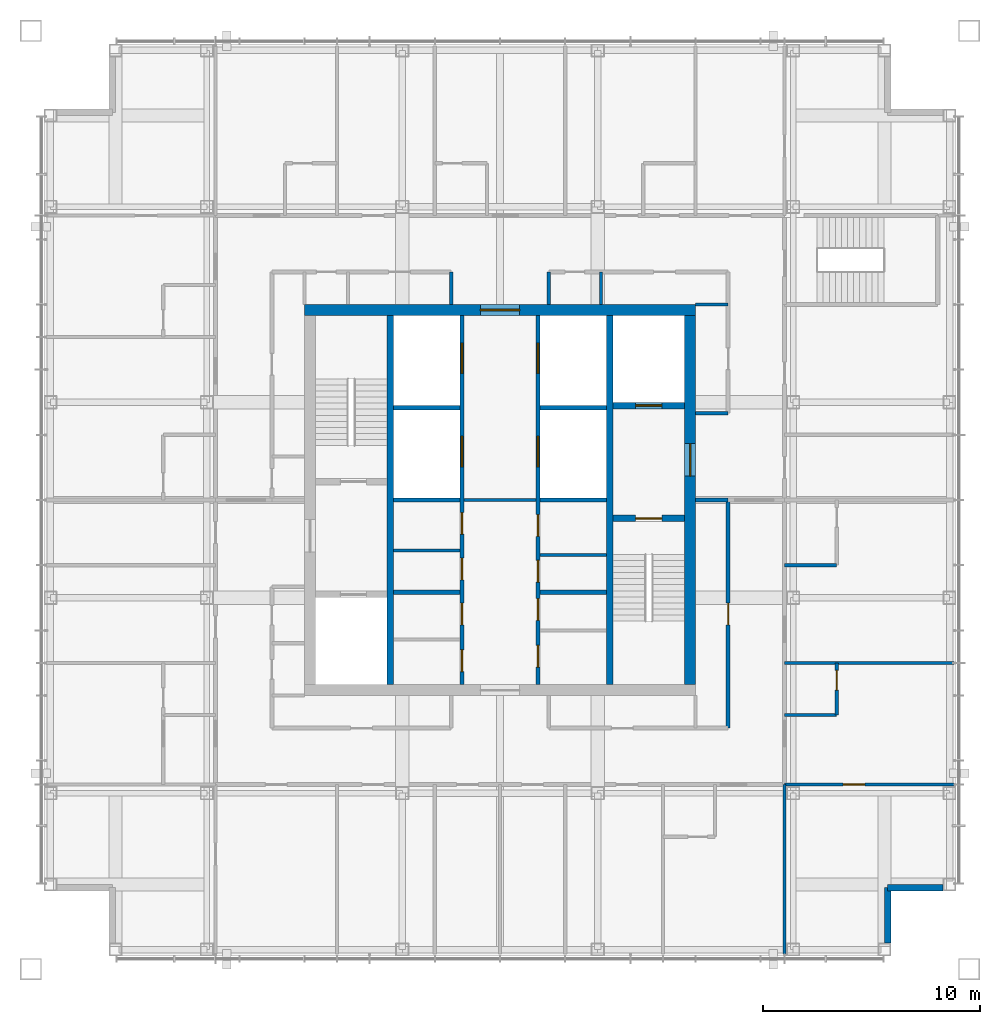
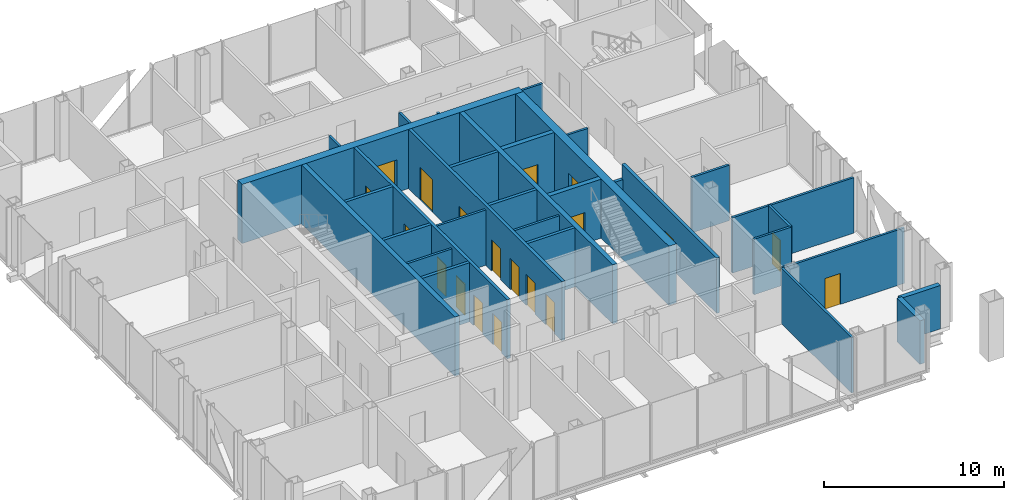
# One storey, part 9 of 14: 32 walls, 19 doors, 19 openings.
"""IFC4 building model written with IfcOpenShell, lengths in metres."""

from ifc_helpers import new_model, si_unit, direction, frame, frame_2d, origin, place, context, subcontext, project, spatial, rectangle, extrude, material, layer, layer_set, type_object, element, fill, save


model = new_model("IFC4")

# Units and contexts
model_context = context("Model", 3, precision=1e-05, world=origin(), true_north=direction((0.0, 1.0)))
body_context = subcontext(model_context, "Body", "Model", "MODEL_VIEW")
ifc_project = project(units=[si_unit("LENGTHUNIT", "METRE"), si_unit("AREAUNIT", "SQUARE_METRE"), si_unit("VOLUMEUNIT", "CUBIC_METRE"), si_unit("PLANEANGLEUNIT", "RADIAN"), si_unit("MASSUNIT", "GRAM", prefix="KILO")], contexts=[model_context])

# Site, building, storey
site_placement = place(None, origin())
site = spatial("IfcSite", under=ifc_project, at=site_placement, CompositionType="ELEMENT")
building_placement = place(site_placement, origin())
building = spatial("IfcBuilding", under=site, at=building_placement, Name="Malebo Sky Hospital", CompositionType="ELEMENT")
storey_placement = place(building_placement, frame((0.0, 0.0, 258.0)))
storey = spatial("IfcBuildingStorey", under=building, at=storey_placement, Name="L62", CompositionType="ELEMENT", Elevation=258.0)

# Wall, openings, doors
ifc_material_1 = material(Name="Concrete C80/95", Category="concrete")
ifc_layer_1 = layer(ifc_material_1, 0.199951171875)
ifc_layer_set_1 = layer_set([ifc_layer_1], Name="CORE INNER WALL 200")
wall_type_1 = type_object("IfcWallType", Name="CORE INNER WALL 200", PredefinedType="SHEAR", material=ifc_layer_set_1)
wall_1_placement = place(storey_placement, frame((58.25, 53.5, 0.0), z_axis=(0.0, 0.0, 1.0), x_axis=(0.0, 1.0, 0.0)))
wall_1 = element("IfcWall", 1, at=wall_1_placement, inside=storey, type_object=wall_type_1, Name="Core wall LW L62", PredefinedType="SHEAR", context=body_context, shape_type="SweptSolid", body=[
    extrude(rectangle(XDim=17.0, YDim=0.199951171875, at=frame_2d((8.5, 0.0))), origin(), (0.0, 0.0, 1.0), 4.0),
])
opening_1_placement = place(wall_1_placement, frame((0.60009765625, 0.0, 0.0)))
opening_1 = element("IfcOpeningElement", 2, at=opening_1_placement, cuts=wall_1, Name="Opening D17", PredefinedType="OPENING", context=body_context, shape_type="SweptSolid", body=[
    extrude(rectangle(XDim=1.0, YDim=2.10009765625, at=frame_2d((0.5, 1.050048828125))), frame((0.0, 0.10986328125, 0.0), z_axis=(0.0, -1.0, 0.0), x_axis=(1.0, 0.0, 0.0)), (0.0, 0.0, 1.0), 0.219970703125),
])
opening_2_placement = place(wall_1_placement, frame((2.75, 0.0, 0.0)))
opening_2 = element("IfcOpeningElement", 3, at=opening_2_placement, cuts=wall_1, Name="Opening D17", PredefinedType="OPENING", context=body_context, shape_type="SweptSolid", body=[
    extrude(rectangle(XDim=1.0, YDim=2.10009765625, at=frame_2d((0.5, 1.050048828125))), frame((0.0, 0.10986328125, 0.0), z_axis=(0.0, -1.0, 0.0), x_axis=(1.0, 0.0, 0.0)), (0.0, 0.0, 1.0), 0.219970703125),
])
opening_3_placement = place(wall_1_placement, frame((4.823974609375, 0.0, 0.0)))
opening_3 = element("IfcOpeningElement", 4, at=opening_3_placement, cuts=wall_1, Name="Opening D17", PredefinedType="OPENING", context=body_context, shape_type="SweptSolid", body=[
    extrude(rectangle(XDim=1.0, YDim=2.10009765625, at=frame_2d((0.5, 1.050048828125))), frame((0.0, 0.10986328125, 0.0), z_axis=(0.0, -1.0, 0.0), x_axis=(1.0, 0.0, 0.0)), (0.0, 0.0, 1.0), 0.219970703125),
])
opening_4_placement = place(wall_1_placement, frame((6.924072265625, 0.0, 0.0)))
opening_4 = element("IfcOpeningElement", 5, at=opening_4_placement, cuts=wall_1, Name="Opening D17", PredefinedType="OPENING", context=body_context, shape_type="SweptSolid", body=[
    extrude(rectangle(XDim=1.0, YDim=2.10009765625, at=frame_2d((0.5, 1.050048828125))), frame((0.0, 0.10986328125, 0.0), z_axis=(0.0, -1.0, 0.0), x_axis=(1.0, 0.0, 0.0)), (0.0, 0.0, 1.0), 0.219970703125),
])
opening_5_placement = place(wall_1_placement, frame((10.02490234375, 0.0, 0.0)))
opening_5 = element("IfcOpeningElement", 6, at=opening_5_placement, cuts=wall_1, Name="Opening LD1", PredefinedType="OPENING", context=body_context, shape_type="SweptSolid", body=[
    extrude(rectangle(XDim=1.39990234375, YDim=2.199951171875, at=frame_2d((0.699951171875, 1.10009765625))), frame((0.0, 0.10986328125, 0.0), z_axis=(0.0, -1.0, 0.0), x_axis=(1.0, 0.0, 0.0)), (0.0, 0.0, 1.0), 0.219970703125),
])
opening_6_placement = place(wall_1_placement, frame((14.324951171875, 0.0, 0.0)))
opening_6 = element("IfcOpeningElement", 7, at=opening_6_placement, cuts=wall_1, Name="Opening LD1", PredefinedType="OPENING", context=body_context, shape_type="SweptSolid", body=[
    extrude(rectangle(XDim=1.39990234375, YDim=2.199951171875, at=frame_2d((0.699951171875, 1.10009765625))), frame((0.0, 0.10986328125, 0.0), z_axis=(0.0, -1.0, 0.0), x_axis=(1.0, 0.0, 0.0)), (0.0, 0.0, 1.0), 0.219970703125),
])
ifc_material_2 = material(Name="Hardwood-faced door leaf in steel frame", Category="steel")
door_type_1 = type_object("IfcDoorType", Name="FIRE DOOR 1000", OperationType="SINGLE_SWING_LEFT", PredefinedType="DOOR", material=ifc_material_2)
door_1_placement = place(opening_1_placement, origin())
door_1 = element("IfcDoor", 8, at=door_1_placement, inside=storey, type_object=door_type_1, Name="Cleaning equipment store door", OperationType="SINGLE_SWING_RIGHT", OverallHeight=2.10009765625, OverallWidth=1.0, PredefinedType="DOOR", context=body_context, shape_type="SweptSolid", body=[
    extrude(rectangle(XDim=1.0, YDim=2.10009765625, at=frame_2d((0.5, 1.050048828125))), frame((0.0, 0.02490234375, 0.0), z_axis=(0.0, -1.0, 0.0), x_axis=(1.0, 0.0, 0.0)), (0.0, 0.0, 1.0), 0.050048828125),
])
fill(opening_1, door_1)
door_2_placement = place(opening_2_placement, origin())
door_2 = element("IfcDoor", 9, at=door_2_placement, inside=storey, type_object=door_type_1, Name="Archive store door", OperationType="SINGLE_SWING_RIGHT", OverallHeight=2.10009765625, OverallWidth=1.0, PredefinedType="DOOR", context=body_context, shape_type="SweptSolid", body=[
    extrude(rectangle(XDim=1.0, YDim=2.10009765625, at=frame_2d((0.5, 1.050048828125))), frame((0.0, 0.02490234375, 0.0), z_axis=(0.0, -1.0, 0.0), x_axis=(1.0, 0.0, 0.0)), (0.0, 0.0, 1.0), 0.050048828125),
])
fill(opening_2, door_2)
door_3_placement = place(opening_3_placement, origin())
door_3 = element("IfcDoor", 10, at=door_3_placement, inside=storey, type_object=door_type_1, Name="General store door", OperationType="SINGLE_SWING_RIGHT", OverallHeight=2.10009765625, OverallWidth=1.0, PredefinedType="DOOR", context=body_context, shape_type="SweptSolid", body=[
    extrude(rectangle(XDim=1.0, YDim=2.10009765625, at=frame_2d((0.5, 1.050048828125))), frame((0.0, 0.02490234375, 0.0), z_axis=(0.0, -1.0, 0.0), x_axis=(1.0, 0.0, 0.0)), (0.0, 0.0, 1.0), 0.050048828125),
])
fill(opening_3, door_3)
door_4_placement = place(opening_4_placement, origin())
door_4 = element("IfcDoor", 11, at=door_4_placement, inside=storey, type_object=door_type_1, Name="Records store door", OperationType="SINGLE_SWING_RIGHT", OverallHeight=2.10009765625, OverallWidth=1.0, PredefinedType="DOOR", context=body_context, shape_type="SweptSolid", body=[
    extrude(rectangle(XDim=1.0, YDim=2.10009765625, at=frame_2d((0.5, 1.050048828125))), frame((0.0, 0.02490234375, 0.0), z_axis=(0.0, -1.0, 0.0), x_axis=(1.0, 0.0, 0.0)), (0.0, 0.0, 1.0), 0.050048828125),
])
fill(opening_4, door_4)
ifc_material_3 = material(Name="Stainless steel sliding landing door", Category="steel")
door_type_2 = type_object("IfcDoorType", Name="LIFT LANDING DOOR 1400", OperationType="SLIDING_TO_LEFT", PredefinedType="DOOR", material=ifc_material_3)
door_5_placement = place(opening_5_placement, origin())
door_5 = element("IfcDoor", 12, at=door_5_placement, inside=storey, type_object=door_type_2, Name="Lift W3 landing door", OperationType="SLIDING_TO_LEFT", OverallHeight=2.199951171875, OverallWidth=1.39990234375, PredefinedType="DOOR", context=body_context, shape_type="SweptSolid", body=[
    extrude(rectangle(XDim=1.39990234375, YDim=2.199951171875, at=frame_2d((0.699951171875, 1.10009765625))), frame((0.0, 0.02490234375, 0.0), z_axis=(0.0, -1.0, 0.0), x_axis=(1.0, 0.0, 0.0)), (0.0, 0.0, 1.0), 0.050048828125),
])
fill(opening_5, door_5)
door_6_placement = place(opening_6_placement, origin())
door_6 = element("IfcDoor", 13, at=door_6_placement, inside=storey, type_object=door_type_2, Name="Lift W4 landing door", OperationType="SLIDING_TO_LEFT", OverallHeight=2.199951171875, OverallWidth=1.39990234375, PredefinedType="DOOR", context=body_context, shape_type="SweptSolid", body=[
    extrude(rectangle(XDim=1.39990234375, YDim=2.199951171875, at=frame_2d((0.699951171875, 1.10009765625))), frame((0.0, 0.02490234375, 0.0), z_axis=(0.0, -1.0, 0.0), x_axis=(1.0, 0.0, 0.0)), (0.0, 0.0, 1.0), 0.050048828125),
])
fill(opening_6, door_6)

wall_2_placement = place(storey_placement, frame((61.75, 53.5, 0.0), z_axis=(0.0, 0.0, 1.0), x_axis=(0.0, 1.0, 0.0)))
wall_2 = element("IfcWall", 14, at=wall_2_placement, inside=storey, type_object=wall_type_1, Name="Core wall LE L62", PredefinedType="SHEAR", context=body_context, shape_type="SweptSolid", body=[
    extrude(rectangle(XDim=17.0, YDim=0.199951171875, at=frame_2d((8.5, 0.0))), origin(), (0.0, 0.0, 1.0), 4.0),
])
opening_7_placement = place(wall_2_placement, frame((0.8076171875, 0.0, 0.0)))
opening_7 = element("IfcOpeningElement", 15, at=opening_7_placement, cuts=wall_2, Name="Opening D17", PredefinedType="OPENING", context=body_context, shape_type="SweptSolid", body=[
    extrude(rectangle(XDim=1.0, YDim=2.10009765625, at=frame_2d((0.5, 1.050048828125))), frame((0.0, 0.10986328125, 0.0), z_axis=(0.0, -1.0, 0.0), x_axis=(1.0, 0.0, 0.0)), (0.0, 0.0, 1.0), 0.219970703125),
])
opening_8_placement = place(wall_2_placement, frame((2.95751953125, 0.0, 0.0)))
opening_8 = element("IfcOpeningElement", 16, at=opening_8_placement, cuts=wall_2, Name="Opening D17", PredefinedType="OPENING", context=body_context, shape_type="SweptSolid", body=[
    extrude(rectangle(XDim=1.0, YDim=2.10009765625, at=frame_2d((0.5, 1.050048828125))), frame((0.0, 0.10986328125, 0.0), z_axis=(0.0, -1.0, 0.0), x_axis=(1.0, 0.0, 0.0)), (0.0, 0.0, 1.0), 0.219970703125),
])
opening_9_placement = place(wall_2_placement, frame((4.722412109375, 0.0, 0.0)))
opening_9 = element("IfcOpeningElement", 17, at=opening_9_placement, cuts=wall_2, Name="Opening D17", PredefinedType="OPENING", context=body_context, shape_type="SweptSolid", body=[
    extrude(rectangle(XDim=1.0, YDim=2.10009765625, at=frame_2d((0.5, 1.050048828125))), frame((0.0, 0.10986328125, 0.0), z_axis=(0.0, -1.0, 0.0), x_axis=(1.0, 0.0, 0.0)), (0.0, 0.0, 1.0), 0.219970703125),
])
opening_10_placement = place(wall_2_placement, frame((6.822509765625, 0.0, 0.0)))
opening_10 = element("IfcOpeningElement", 18, at=opening_10_placement, cuts=wall_2, Name="Opening D17", PredefinedType="OPENING", context=body_context, shape_type="SweptSolid", body=[
    extrude(rectangle(XDim=1.0, YDim=2.10009765625, at=frame_2d((0.5, 1.050048828125))), frame((0.0, 0.10986328125, 0.0), z_axis=(0.0, -1.0, 0.0), x_axis=(1.0, 0.0, 0.0)), (0.0, 0.0, 1.0), 0.219970703125),
])
opening_11_placement = place(wall_2_placement, frame((10.02490234375, 0.0, 0.0)))
opening_11 = element("IfcOpeningElement", 19, at=opening_11_placement, cuts=wall_2, Name="Opening LD1", PredefinedType="OPENING", context=body_context, shape_type="SweptSolid", body=[
    extrude(rectangle(XDim=1.39990234375, YDim=2.199951171875, at=frame_2d((0.699951171875, 1.10009765625))), frame((0.0, 0.10986328125, 0.0), z_axis=(0.0, -1.0, 0.0), x_axis=(1.0, 0.0, 0.0)), (0.0, 0.0, 1.0), 0.219970703125),
])
opening_12_placement = place(wall_2_placement, frame((14.324951171875, 0.0, 0.0)))
opening_12 = element("IfcOpeningElement", 20, at=opening_12_placement, cuts=wall_2, Name="Opening LD1", PredefinedType="OPENING", context=body_context, shape_type="SweptSolid", body=[
    extrude(rectangle(XDim=1.39990234375, YDim=2.199951171875, at=frame_2d((0.699951171875, 1.10009765625))), frame((0.0, 0.10986328125, 0.0), z_axis=(0.0, -1.0, 0.0), x_axis=(1.0, 0.0, 0.0)), (0.0, 0.0, 1.0), 0.219970703125),
])
door_7_placement = place(opening_7_placement, origin())
door_7 = element("IfcDoor", 21, at=door_7_placement, inside=storey, type_object=door_type_1, Name="Equipment store door", OperationType="SINGLE_SWING_RIGHT", OverallHeight=2.10009765625, OverallWidth=1.0, PredefinedType="DOOR", context=body_context, shape_type="SweptSolid", body=[
    extrude(rectangle(XDim=1.0, YDim=2.10009765625, at=frame_2d((0.5, 1.050048828125))), frame((0.0, 0.02490234375, 0.0), z_axis=(0.0, -1.0, 0.0), x_axis=(1.0, 0.0, 0.0)), (0.0, 0.0, 1.0), 0.050048828125),
])
fill(opening_7, door_7)
door_8_placement = place(opening_8_placement, origin())
door_8 = element("IfcDoor", 22, at=door_8_placement, inside=storey, type_object=door_type_1, Name="Linen store door", OperationType="SINGLE_SWING_RIGHT", OverallHeight=2.10009765625, OverallWidth=1.0, PredefinedType="DOOR", context=body_context, shape_type="SweptSolid", body=[
    extrude(rectangle(XDim=1.0, YDim=2.10009765625, at=frame_2d((0.5, 1.050048828125))), frame((0.0, 0.02490234375, 0.0), z_axis=(0.0, -1.0, 0.0), x_axis=(1.0, 0.0, 0.0)), (0.0, 0.0, 1.0), 0.050048828125),
])
fill(opening_8, door_8)
door_9_placement = place(opening_9_placement, origin())
door_9 = element("IfcDoor", 23, at=door_9_placement, inside=storey, type_object=door_type_1, Name="Supplies store door", OperationType="SINGLE_SWING_RIGHT", OverallHeight=2.10009765625, OverallWidth=1.0, PredefinedType="DOOR", context=body_context, shape_type="SweptSolid", body=[
    extrude(rectangle(XDim=1.0, YDim=2.10009765625, at=frame_2d((0.5, 1.050048828125))), frame((0.0, 0.02490234375, 0.0), z_axis=(0.0, -1.0, 0.0), x_axis=(1.0, 0.0, 0.0)), (0.0, 0.0, 1.0), 0.050048828125),
])
fill(opening_9, door_9)
door_10_placement = place(opening_10_placement, origin())
door_10 = element("IfcDoor", 24, at=door_10_placement, inside=storey, type_object=door_type_1, Name="Mattress store door", OperationType="SINGLE_SWING_RIGHT", OverallHeight=2.10009765625, OverallWidth=1.0, PredefinedType="DOOR", context=body_context, shape_type="SweptSolid", body=[
    extrude(rectangle(XDim=1.0, YDim=2.10009765625, at=frame_2d((0.5, 1.050048828125))), frame((0.0, 0.02490234375, 0.0), z_axis=(0.0, -1.0, 0.0), x_axis=(1.0, 0.0, 0.0)), (0.0, 0.0, 1.0), 0.050048828125),
])
fill(opening_10, door_10)
door_11_placement = place(opening_11_placement, origin())
door_11 = element("IfcDoor", 25, at=door_11_placement, inside=storey, type_object=door_type_2, Name="Lift E3 landing door", OperationType="SLIDING_TO_LEFT", OverallHeight=2.199951171875, OverallWidth=1.39990234375, PredefinedType="DOOR", context=body_context, shape_type="SweptSolid", body=[
    extrude(rectangle(XDim=1.39990234375, YDim=2.199951171875, at=frame_2d((0.699951171875, 1.10009765625))), frame((0.0, 0.02490234375, 0.0), z_axis=(0.0, -1.0, 0.0), x_axis=(1.0, 0.0, 0.0)), (0.0, 0.0, 1.0), 0.050048828125),
])
fill(opening_11, door_11)
door_12_placement = place(opening_12_placement, origin())
door_12 = element("IfcDoor", 26, at=door_12_placement, inside=storey, type_object=door_type_2, Name="Lift E4 landing door", OperationType="SLIDING_TO_LEFT", OverallHeight=2.199951171875, OverallWidth=1.39990234375, PredefinedType="DOOR", context=body_context, shape_type="SweptSolid", body=[
    extrude(rectangle(XDim=1.39990234375, YDim=2.199951171875, at=frame_2d((0.699951171875, 1.10009765625))), frame((0.0, 0.02490234375, 0.0), z_axis=(0.0, -1.0, 0.0), x_axis=(1.0, 0.0, 0.0)), (0.0, 0.0, 1.0), 0.050048828125),
])
fill(opening_12, door_12)

# Walls
for number, where, z_axis, x_axis, name in (
    (27, (55.10009765625, 57.75, 0.0), (0.0, 0.0, 1.0), (1.0, 0.0, 0.0), "Core wall SW0 L62"),
    (28, (61.85009765625, 57.75, 0.0), (0.0, 0.0, 1.0), (1.0, 0.0, 0.0), "Core wall SE0 L62"),
    (29, (55.10009765625, 62.0, 0.0), (0.0, 0.0, 1.0), (1.0, 0.0, 0.0), "Core wall SW1 L62"),
    (30, (61.85009765625, 62.0, 0.0), (0.0, 0.0, 1.0), (1.0, 0.0, 0.0), "Core wall SE1 L62"),
    (31, (55.10009765625, 66.25, 0.0), (0.0, 0.0, 1.0), (1.0, 0.0, 0.0), "Core wall SW2 L62"),
    (32, (61.85009765625, 66.25, 0.0), (0.0, 0.0, 1.0), (1.0, 0.0, 0.0), "Core wall SE2 L62"),
):
    element("IfcWall", number, at=place(storey_placement, frame(where, z_axis=z_axis, x_axis=x_axis)), inside=storey, type_object=wall_type_1, Name=name, PredefinedType="SHEAR", context=body_context, shape_type="SweptSolid", body=[
        extrude(rectangle(XDim=3.0498046875, YDim=0.199951171875, at=frame_2d((1.52490234375, 0.0))), origin(), (0.0, 0.0, 1.0), 4.0),
    ])
ifc_layer_2 = layer(ifc_material_1, 0.300048828125)
ifc_layer_set_2 = layer_set([ifc_layer_2], Name="CORE INNER WALL 300")
wall_type_2 = type_object("IfcWallType", Name="CORE INNER WALL 300", PredefinedType="SHEAR", material=ifc_layer_set_2)
for number, where, z_axis, x_axis, name in (
    (33, (54.949951171875, 53.5, 0.0), (0.0, 0.0, 1.0), (0.0, 1.0, 0.0), "Core wall XW L62"),
    (34, (65.050048828125, 53.5, 0.0), (0.0, 0.0, 1.0), (0.0, 1.0, 0.0), "Core wall XE L62"),
):
    element("IfcWall", number, at=place(storey_placement, frame(where, z_axis=z_axis, x_axis=x_axis)), inside=storey, type_object=wall_type_2, Name=name, PredefinedType="SHEAR", context=body_context, shape_type="SweptSolid", body=[
        extrude(rectangle(XDim=17.0, YDim=0.300048828125, at=frame_2d((8.5, 0.0))), origin(), (0.0, 0.0, 1.0), 4.0),
    ])

# Wall, opening, door
wall_3_placement = place(storey_placement, frame((65.199951171875, 61.14990234375, 0.0), z_axis=(0.0, 0.0, 1.0), x_axis=(1.0, 0.0, 0.0)))
wall_3 = element("IfcWall", 35, at=wall_3_placement, inside=storey, type_object=wall_type_2, Name="Core wall E1 L62", PredefinedType="SHEAR", context=body_context, shape_type="SweptSolid", body=[
    extrude(rectangle(XDim=3.300048828125, YDim=0.300048828125, at=frame_2d((1.64990234375, 0.0))), origin(), (0.0, 0.0, 1.0), 4.0),
])
opening_13_placement = place(wall_3_placement, frame((1.050048828125, 0.0, 0.0)))
opening_13 = element("IfcOpeningElement", 36, at=opening_13_placement, cuts=wall_3, Name="Opening D08", PredefinedType="OPENING", context=body_context, shape_type="SweptSolid", body=[
    extrude(rectangle(XDim=1.199951171875, YDim=2.10009765625, at=frame_2d((0.60009765625, 1.050048828125))), frame((0.0, 0.159912109375, 0.0), z_axis=(0.0, -1.0, 0.0), x_axis=(1.0, 0.0, 0.0)), (0.0, 0.0, 1.0), 0.320068359375),
])
door_type_3 = type_object("IfcDoorType", Name="STAIR DOOR 1200", OperationType="SINGLE_SWING_LEFT", PredefinedType="DOOR", material=ifc_material_2)
door_13_placement = place(opening_13_placement, origin())
door_13 = element("IfcDoor", 37, at=door_13_placement, inside=storey, type_object=door_type_3, Name="Stair S2 door", OperationType="SINGLE_SWING_LEFT", OverallHeight=2.10009765625, OverallWidth=1.199951171875, PredefinedType="DOOR", context=body_context, shape_type="SweptSolid", body=[
    extrude(rectangle(XDim=1.199951171875, YDim=2.10009765625, at=frame_2d((0.60009765625, 1.050048828125))), frame((0.0, 0.02490234375, 0.0), z_axis=(0.0, -1.0, 0.0), x_axis=(1.0, 0.0, 0.0)), (0.0, 0.0, 1.0), 0.050048828125),
])
fill(opening_13, door_13)

wall_4_placement = place(storey_placement, frame((65.199951171875, 66.35009765625, 0.0), z_axis=(0.0, 0.0, 1.0), x_axis=(1.0, 0.0, 0.0)))
wall_4 = element("IfcWall", 38, at=wall_4_placement, inside=storey, type_object=wall_type_2, Name="Core wall E2 L62", PredefinedType="SHEAR", context=body_context, shape_type="SweptSolid", body=[
    extrude(rectangle(XDim=3.300048828125, YDim=0.300048828125, at=frame_2d((1.64990234375, 0.0))), origin(), (0.0, 0.0, 1.0), 4.0),
])
opening_14_placement = place(wall_4_placement, frame((1.050048828125, 0.0, 0.0)))
opening_14 = element("IfcOpeningElement", 39, at=opening_14_placement, cuts=wall_4, Name="Opening LD2", PredefinedType="OPENING", context=body_context, shape_type="SweptSolid", body=[
    extrude(rectangle(XDim=1.199951171875, YDim=2.199951171875, at=frame_2d((0.60009765625, 1.10009765625))), frame((0.0, 0.159912109375, 0.0), z_axis=(0.0, -1.0, 0.0), x_axis=(1.0, 0.0, 0.0)), (0.0, 0.0, 1.0), 0.320068359375),
])
door_type_4 = type_object("IfcDoorType", Name="FIRE-FIGHTING LIFT LANDING DOOR 1200", OperationType="SLIDING_TO_LEFT", PredefinedType="DOOR", material=ifc_material_3)
door_14_placement = place(opening_14_placement, origin())
door_14 = element("IfcDoor", 40, at=door_14_placement, inside=storey, type_object=door_type_4, Name="Lift FL2 landing door", OperationType="SLIDING_TO_LEFT", OverallHeight=2.199951171875, OverallWidth=1.199951171875, PredefinedType="DOOR", context=body_context, shape_type="SweptSolid", body=[
    extrude(rectangle(XDim=1.199951171875, YDim=2.199951171875, at=frame_2d((0.60009765625, 1.10009765625))), frame((0.0, 0.02490234375, 0.0), z_axis=(0.0, -1.0, 0.0), x_axis=(1.0, 0.0, 0.0)), (0.0, 0.0, 1.0), 0.050048828125),
])
fill(opening_14, door_14)

ifc_layer_3 = layer(ifc_material_1, 0.5)
ifc_layer_set_3 = layer_set([ifc_layer_3], Name="CORE WALL 500")
wall_type_3 = type_object("IfcWallType", Name="CORE WALL 500", PredefinedType="SHEAR", material=ifc_layer_set_3)
wall_5_placement = place(storey_placement, frame((51.0, 70.75, 0.0), z_axis=(0.0, 0.0, 1.0), x_axis=(1.0, 0.0, 0.0)))
wall_5 = element("IfcWall", 41, at=wall_5_placement, inside=storey, type_object=wall_type_3, Name="Core wall N L62", PredefinedType="SHEAR", context=body_context, shape_type="SweptSolid", body=[
    extrude(rectangle(XDim=18.0, YDim=0.5, at=frame_2d((9.0, 0.0))), origin(), (0.0, 0.0, 1.0), 4.0),
])
opening_15_placement = place(wall_5_placement, frame((8.10009765625, 0.0, 0.0)))
opening_15 = element("IfcOpeningElement", 42, at=opening_15_placement, cuts=wall_5, Name="Opening D06", PredefinedType="OPENING", context=body_context, shape_type="SweptSolid", body=[
    extrude(rectangle(XDim=1.800048828125, YDim=2.199951171875, at=frame_2d((0.89990234375, 1.10009765625))), frame((0.0, 0.260009765625, 0.0), z_axis=(0.0, -1.0, 0.0), x_axis=(1.0, 0.0, 0.0)), (0.0, 0.0, 1.0), 0.52001953125),
])
door_type_5 = type_object("IfcDoorType", Name="LOBBY DOOR PAIR 1800", OperationType="DOUBLE_DOOR_SINGLE_SWING", PredefinedType="DOOR", material=ifc_material_2)
door_15_placement = place(opening_15_placement, origin())
door_15 = element("IfcDoor", 43, at=door_15_placement, inside=storey, type_object=door_type_5, Name="Lift lobby door north", OperationType="DOUBLE_DOOR_SINGLE_SWING", OverallHeight=2.199951171875, OverallWidth=1.800048828125, PredefinedType="DOOR", context=body_context, shape_type="SweptSolid", body=[
    extrude(rectangle(XDim=1.800048828125, YDim=2.199951171875, at=frame_2d((0.89990234375, 1.10009765625))), frame((0.0, 0.02490234375, 0.0), z_axis=(0.0, -1.0, 0.0), x_axis=(1.0, 0.0, 0.0)), (0.0, 0.0, 1.0), 0.050048828125),
])
fill(opening_15, door_15)

wall_6_placement = place(storey_placement, frame((68.75, 53.5, 0.0), z_axis=(0.0, 0.0, 1.0), x_axis=(0.0, 1.0, 0.0)))
wall_6 = element("IfcWall", 44, at=wall_6_placement, inside=storey, type_object=wall_type_3, Name="Core wall E L62", PredefinedType="SHEAR", context=body_context, shape_type="SweptSolid", body=[
    extrude(rectangle(XDim=17.0, YDim=0.5, at=frame_2d((8.5, 0.0))), origin(), (0.0, 0.0, 1.0), 4.0),
])
opening_16_placement = place(wall_6_placement, frame((9.60009765625, 0.0, 0.0)))
opening_16 = element("IfcOpeningElement", 45, at=opening_16_placement, cuts=wall_6, Name="Opening D07", PredefinedType="OPENING", context=body_context, shape_type="SweptSolid", body=[
    extrude(rectangle(XDim=1.5, YDim=2.199951171875, at=frame_2d((0.75, 1.10009765625))), frame((0.0, 0.260009765625, 0.0), z_axis=(0.0, -1.0, 0.0), x_axis=(1.0, 0.0, 0.0)), (0.0, 0.0, 1.0), 0.52001953125),
])
door_type_6 = type_object("IfcDoorType", Name="FIRE-FIGHTING LOBBY DOOR PAIR 1500", OperationType="DOUBLE_DOOR_SINGLE_SWING", PredefinedType="DOOR", material=ifc_material_2)
door_16_placement = place(opening_16_placement, origin())
door_16 = element("IfcDoor", 46, at=door_16_placement, inside=storey, type_object=door_type_6, Name="Fire-fighting lobby door east", OperationType="DOUBLE_DOOR_SINGLE_SWING", OverallHeight=2.199951171875, OverallWidth=1.5, PredefinedType="DOOR", context=body_context, shape_type="SweptSolid", body=[
    extrude(rectangle(XDim=1.5, YDim=2.199951171875, at=frame_2d((0.75, 1.10009765625))), frame((0.0, 0.02490234375, 0.0), z_axis=(0.0, -1.0, 0.0), x_axis=(1.0, 0.0, 0.0)), (0.0, 0.0, 1.0), 0.050048828125),
])
fill(opening_16, door_16)

ifc_material_4 = material(Name="Gypsum board on steel studs", Category="steel")
ifc_layer_4 = layer(ifc_material_4, 0.199951171875)
ifc_layer_set_4 = layer_set([ifc_layer_4], Name="CORRIDOR WALL 200")
wall_type_4 = type_object("IfcWallType", Name="CORRIDOR WALL 200", PredefinedType="PARTITIONING", material=ifc_layer_set_4)
wall_7_placement = place(storey_placement, frame((70.5, 62.0, 0.0), z_axis=(0.0, 0.0, 1.0), x_axis=(0.0, -1.0, 0.0)))
wall_7 = element("IfcWall", 47, at=wall_7_placement, inside=storey, type_object=wall_type_4, Name="Corridor Wall 200 ECI2", PredefinedType="PARTITIONING", context=body_context, shape_type="SweptSolid", body=[
    extrude(rectangle(XDim=10.5, YDim=0.199951171875, at=frame_2d((5.25, 0.0))), origin(), (0.0, 0.0, 1.0), 3.75),
])
opening_17_placement = place(wall_7_placement, frame((4.75, 0.0, 0.0)))
opening_17 = element("IfcOpeningElement", 48, at=opening_17_placement, cuts=wall_7, Name="Opening D03", PredefinedType="OPENING", context=body_context, shape_type="SweptSolid", body=[
    extrude(rectangle(XDim=1.0, YDim=2.10009765625, at=frame_2d((0.5, 1.050048828125))), frame((0.0, 0.10986328125, 0.0), z_axis=(0.0, -1.0, 0.0), x_axis=(1.0, 0.0, 0.0)), (0.0, 0.0, 1.0), 0.219970703125),
])
door_type_7 = type_object("IfcDoorType", Name="ROOM DOOR 1000", OperationType="SINGLE_SWING_LEFT", PredefinedType="DOOR", material=ifc_material_2)
door_17_placement = place(opening_17_placement, origin())
door_17 = element("IfcDoor", 49, at=door_17_placement, inside=storey, type_object=door_type_7, Name="Wheelchair store door", OperationType="SINGLE_SWING_LEFT", OverallHeight=2.10009765625, OverallWidth=1.0, PredefinedType="DOOR", context=body_context, shape_type="SweptSolid", body=[
    extrude(rectangle(XDim=1.0, YDim=2.10009765625, at=frame_2d((0.5, 1.050048828125))), frame((0.0, 0.02490234375, 0.0), z_axis=(0.0, -1.0, 0.0), x_axis=(1.0, 0.0, 0.0)), (0.0, 0.0, 1.0), 0.050048828125),
])
fill(opening_17, door_17)

# Walls
ifc_material_5 = material(Name="Anodised aluminium rainscreen on steel framing", Category="steel")
ifc_layer_5 = layer(ifc_material_5, 0.300048828125)
ifc_layer_set_5 = layer_set([ifc_layer_5], Name="NOTCH RAINSCREEN WALL 300")
wall_type_5 = type_object("IfcWallType", Name="NOTCH RAINSCREEN WALL 300", PredefinedType="ELEMENTEDWALL", material=ifc_layer_set_5)
for number, where, z_axis, x_axis, name in (
    (50, (80.39990234375, 44.14990234375, 0.0), (0.0, 0.0, 1.0), (-1.0, 0.0, 0.0), "Notch rainscreen wall E1 L62"),
    (51, (77.85009765625, 44.14990234375, 0.0), (0.0, 0.0, 1.0), (0.0, -1.0, 0.0), "Notch rainscreen wall E2 L62"),
):
    element("IfcWall", number, at=place(storey_placement, frame(where, z_axis=z_axis, x_axis=x_axis)), inside=storey, type_object=wall_type_5, Name=name, PredefinedType="ELEMENTEDWALL", context=body_context, shape_type="SweptSolid", body=[
        extrude(rectangle(XDim=2.5498046875, YDim=0.300048828125, at=frame_2d((1.27490234375, 0.0))), origin(), (0.0, 0.0, 1.0), 2.949951171875),
    ])
ifc_layer_6 = layer(ifc_material_4, 0.14990234375)
ifc_layer_set_6 = layer_set([ifc_layer_6], Name="PARTITION 150")
wall_type_6 = type_object("IfcWallType", Name="PARTITION 150", PredefinedType="PARTITIONING", material=ifc_layer_set_6)
for number, where, z_axis, x_axis, name in (
    (52, (57.75, 71.0, 0.0), (0.0, 0.0, 1.0), (0.0, 1.0, 0.0), "Partition 150 NSPA"),
    (53, (62.25, 71.0, 0.0), (0.0, 0.0, 1.0), (0.0, 1.0, 0.0), "Partition 150 NSPB"),
):
    element("IfcWall", number, at=place(storey_placement, frame(where, z_axis=z_axis, x_axis=x_axis)), inside=storey, type_object=wall_type_6, Name=name, PredefinedType="PARTITIONING", context=body_context, shape_type="SweptSolid", body=[
        extrude(rectangle(XDim=1.5, YDim=0.14990234375, at=frame_2d((0.75, 0.0))), origin(), (0.0, 0.0, 1.0), 3.75),
    ])
wall_8_placement = place(storey_placement, frame((64.64990234375, 71.0, 0.0), z_axis=(0.0, 0.0, 1.0), x_axis=(0.0, 1.0, 0.0)))
element("IfcWall", 54, at=wall_8_placement, inside=storey, type_object=wall_type_6, Name="Partition 150 NSP+4.7", PredefinedType="PARTITIONING", context=body_context, shape_type="SweptSolid", body=[
    extrude(rectangle(XDim=1.5, YDim=0.14990234375, at=frame_2d((0.75, 0.0))), origin(), (0.0, 0.0, 1.0), 2.949951171875),
])
for number, where, z_axis, x_axis, name in (
    (55, (73.10009765625, 48.89990234375, 0.0), (0.0, 0.0, 1.0), (0.0, -1.0, 0.0), "Partition 150 SP0"),
    (56, (73.10009765625, 54.5, 0.0), (0.0, 0.0, 1.0), (1.0, 0.0, 0.0), "Partition 150 EP+7.5"),
):
    element("IfcWall", number, at=place(storey_placement, frame(where, z_axis=z_axis, x_axis=x_axis)), inside=storey, type_object=wall_type_6, Name=name, PredefinedType="PARTITIONING", context=body_context, shape_type="SweptSolid", body=[
        extrude(rectangle(XDim=7.7998046875, YDim=0.14990234375, at=frame_2d((3.89990234375, 0.0))), origin(), (0.0, 0.0, 1.0), 3.75),
    ])
wall_9_placement = place(storey_placement, frame((73.10009765625, 59.0, 0.0), z_axis=(0.0, 0.0, 1.0), x_axis=(1.0, 0.0, 0.0)))
element("IfcWall", 57, at=wall_9_placement, inside=storey, type_object=wall_type_6, Name="Partition 150 EE3S", PredefinedType="PARTITIONING", context=body_context, shape_type="SweptSolid", body=[
    extrude(rectangle(XDim=2.39990234375, YDim=0.14990234375, at=frame_2d((1.199951171875, 0.0))), origin(), (0.0, 0.0, 1.0), 3.75),
])

# Wall, opening, door
wall_10_placement = place(storey_placement, frame((73.10009765625, 48.89990234375, 0.0), z_axis=(0.0, 0.0, 1.0), x_axis=(1.0, 0.0, 0.0)))
wall_10 = element("IfcWall", 58, at=wall_10_placement, inside=storey, type_object=wall_type_6, Name="Partition 150 EK", PredefinedType="PARTITIONING", context=body_context, shape_type="SweptSolid", body=[
    extrude(rectangle(XDim=7.7998046875, YDim=0.14990234375, at=frame_2d((3.89990234375, 0.0))), origin(), (0.0, 0.0, 1.0), 3.75),
])
opening_18_placement = place(wall_10_placement, frame((2.699951171875, 0.0, 0.0)))
opening_18 = element("IfcOpeningElement", 59, at=opening_18_placement, cuts=wall_10, Name="Opening D03", PredefinedType="OPENING", context=body_context, shape_type="SweptSolid", body=[
    extrude(rectangle(XDim=1.0, YDim=2.10009765625, at=frame_2d((0.5, 1.050048828125))), frame((0.0, 0.0849609375, 0.0), z_axis=(0.0, -1.0, 0.0), x_axis=(1.0, 0.0, 0.0)), (0.0, 0.0, 1.0), 0.169921875),
])
door_18_placement = place(opening_18_placement, origin())
door_18 = element("IfcDoor", 60, at=door_18_placement, inside=storey, type_object=door_type_7, Name="Infusion chair bay door", OperationType="SINGLE_SWING_LEFT", OverallHeight=2.10009765625, OverallWidth=1.0, PredefinedType="DOOR", context=body_context, shape_type="SweptSolid", body=[
    extrude(rectangle(XDim=1.0, YDim=2.10009765625, at=frame_2d((0.5, 1.050048828125))), frame((0.0, 0.02490234375, 0.0), z_axis=(0.0, -1.0, 0.0), x_axis=(1.0, 0.0, 0.0)), (0.0, 0.0, 1.0), 0.050048828125),
])
fill(opening_18, door_18)

wall_11_placement = place(storey_placement, frame((75.5, 54.5, 0.0), z_axis=(0.0, 0.0, 1.0), x_axis=(0.0, -1.0, 0.0)))
wall_11 = element("IfcWall", 61, at=wall_11_placement, inside=storey, type_object=wall_type_6, Name="Partition 150 EE4F", PredefinedType="PARTITIONING", context=body_context, shape_type="SweptSolid", body=[
    extrude(rectangle(XDim=2.39990234375, YDim=0.14990234375, at=frame_2d((1.199951171875, 0.0))), origin(), (0.0, 0.0, 1.0), 3.75),
])
opening_19_placement = place(wall_11_placement, frame((0.35009765625, 0.0, 0.0)))
opening_19 = element("IfcOpeningElement", 62, at=opening_19_placement, cuts=wall_11, Name="Opening D02", PredefinedType="OPENING", context=body_context, shape_type="SweptSolid", body=[
    extrude(rectangle(XDim=0.89990234375, YDim=2.10009765625, at=frame_2d((0.449951171875, 1.050048828125))), frame((0.0, 0.0849609375, 0.0), z_axis=(0.0, -1.0, 0.0), x_axis=(1.0, 0.0, 0.0)), (0.0, 0.0, 1.0), 0.169921875),
])
door_type_8 = type_object("IfcDoorType", Name="EN-SUITE DOOR 900", OperationType="SINGLE_SWING_LEFT", PredefinedType="DOOR", material=ifc_material_2)
door_19_placement = place(opening_19_placement, origin())
door_19 = element("IfcDoor", 63, at=door_19_placement, inside=storey, type_object=door_type_8, Name="En-suite door", OperationType="SINGLE_SWING_LEFT", OverallHeight=2.10009765625, OverallWidth=0.89990234375, PredefinedType="DOOR", context=body_context, shape_type="SweptSolid", body=[
    extrude(rectangle(XDim=0.89990234375, YDim=2.10009765625, at=frame_2d((0.449951171875, 1.050048828125))), frame((0.0, 0.02490234375, 0.0), z_axis=(0.0, -1.0, 0.0), x_axis=(1.0, 0.0, 0.0)), (0.0, 0.0, 1.0), 0.050048828125),
])
fill(opening_19, door_19)

# Walls
wall_12_placement = place(storey_placement, frame((73.10009765625, 52.10009765625, 0.0), z_axis=(0.0, 0.0, 1.0), x_axis=(1.0, 0.0, 0.0)))
element("IfcWall", 64, at=wall_12_placement, inside=storey, type_object=wall_type_6, Name="Partition 150 EE4S", PredefinedType="PARTITIONING", context=body_context, shape_type="SweptSolid", body=[
    extrude(rectangle(XDim=2.39990234375, YDim=0.14990234375, at=frame_2d((1.199951171875, 0.0))), origin(), (0.0, 0.0, 1.0), 3.75),
])
for number, where, z_axis, x_axis, name in (
    (65, (69.0, 71.0, 0.0), (0.0, 0.0, 1.0), (1.0, 0.0, 0.0), "Partition 150 ESP0"),
    (66, (69.0, 66.0, 0.0), (0.0, 0.0, 1.0), (1.0, 0.0, 0.0), "Partition 150 ESPA"),
):
    element("IfcWall", number, at=place(storey_placement, frame(where, z_axis=z_axis, x_axis=x_axis)), inside=storey, type_object=wall_type_6, Name=name, PredefinedType="PARTITIONING", context=body_context, shape_type="SweptSolid", body=[
        extrude(rectangle(XDim=1.5, YDim=0.14990234375, at=frame_2d((0.75, 0.0))), origin(), (0.0, 0.0, 1.0), 3.75),
    ])
for number, where, z_axis, x_axis, name in (
    (67, (55.10009765625, 59.673095703125, 0.0), (0.0, 0.0, 1.0), (1.0, 0.0, 0.0), "Partition 150 SHW2"),
    (68, (61.85009765625, 59.469970703125, 0.0), (0.0, 0.0, 1.0), (1.0, 0.0, 0.0), "Partition 150 SHE2"),
):
    element("IfcWall", number, at=place(storey_placement, frame(where, z_axis=z_axis, x_axis=x_axis)), inside=storey, type_object=wall_type_6, Name=name, PredefinedType="PARTITIONING", context=body_context, shape_type="SweptSolid", body=[
        extrude(rectangle(XDim=3.0498046875, YDim=0.14990234375, at=frame_2d((1.52490234375, 0.0))), origin(), (0.0, 0.0, 1.0), 3.75),
    ])
wall_13_placement = place(storey_placement, frame((58.35009765625, 62.0, 0.0), z_axis=(0.0, 0.0, 1.0), x_axis=(1.0, 0.0, 0.0)))
element("IfcWall", 69, at=wall_13_placement, inside=storey, type_object=wall_type_6, Name="Partition 150 LBS", PredefinedType="PARTITIONING", context=body_context, shape_type="SweptSolid", body=[
    extrude(rectangle(XDim=3.2998046875, YDim=0.14990234375, at=frame_2d((1.64990234375, 0.0))), origin(), (0.0, 0.0, 1.0), 3.75),
])
ifc_material_6 = material(Name="Concrete blockwork", Category="masonry")
ifc_layer_7 = layer(ifc_material_6, 0.199951171875)
ifc_layer_set_7 = layer_set([ifc_layer_7], Name="SMOKE BARRIER WALL 200")
wall_type_7 = type_object("IfcWallType", Name="SMOKE BARRIER WALL 200", PredefinedType="SOLIDWALL", material=ifc_layer_set_7)
wall_14_placement = place(storey_placement, frame((69.0, 62.0, 0.0), z_axis=(0.0, 0.0, 1.0), x_axis=(1.0, 0.0, 0.0)))
element("IfcWall", 70, at=wall_14_placement, inside=storey, type_object=wall_type_7, Name="Smoke Barrier Wall 200 ESPB", PredefinedType="SOLIDWALL", context=body_context, shape_type="SweptSolid", body=[
    extrude(rectangle(XDim=1.5, YDim=0.199951171875, at=frame_2d((0.75, 0.0))), origin(), (0.0, 0.0, 1.0), 2.75),
])

save(model, "model.ifc")
